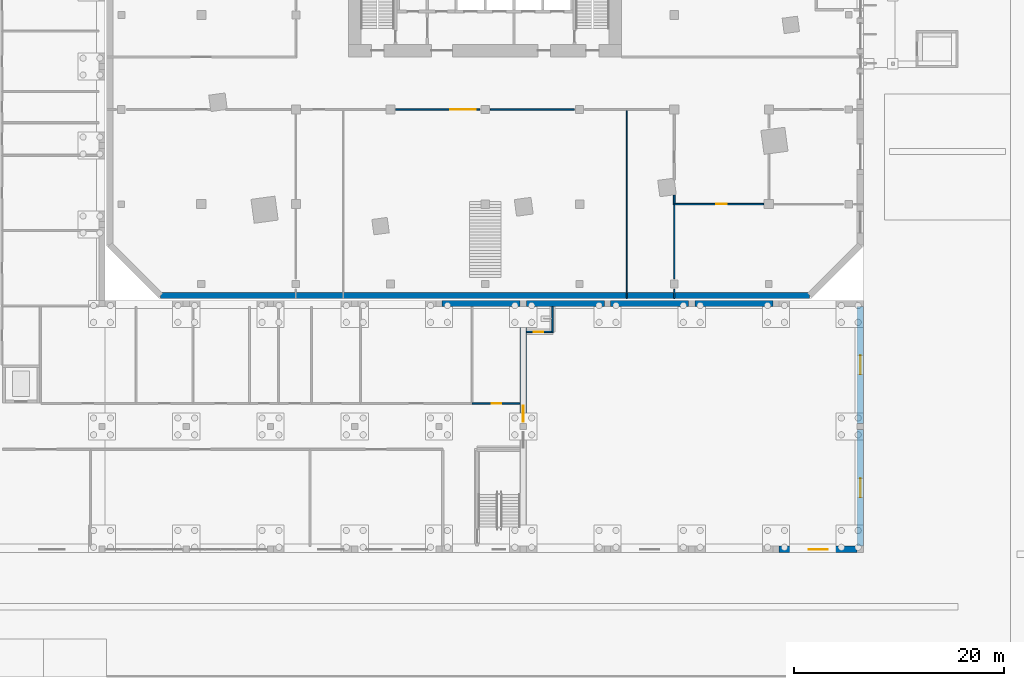
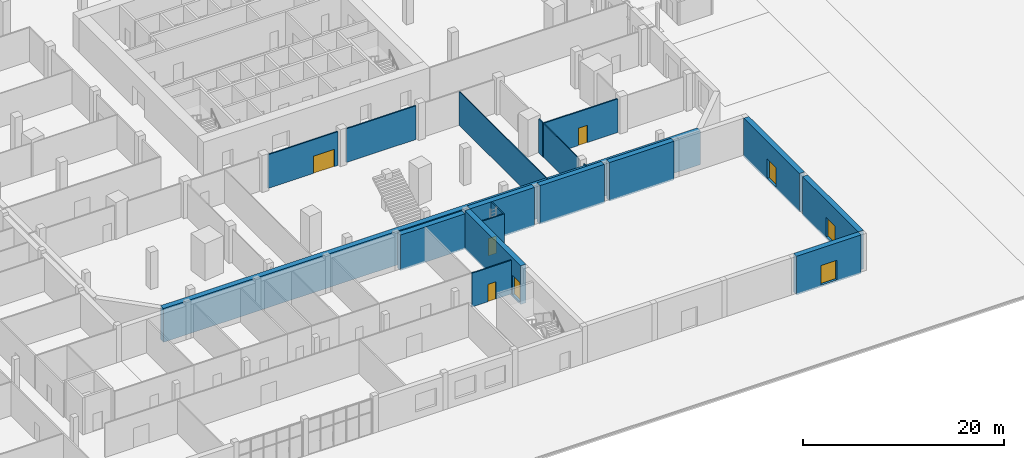
# One storey, part 26 of 42: 19 walls, 8 doors, 8 openings.
"""IFC4 building model written with IfcOpenShell, lengths in metres."""

from ifc_helpers import new_model, si_unit, direction, frame, frame_2d, origin, place, context, subcontext, project, spatial, rectangle, extrude, material, layer, layer_set, type_object, element, fill, save


model = new_model("IFC4")

# Units and contexts
model_context = context("Model", 3, precision=1e-05, world=origin(), true_north=direction((0.0, 1.0)))
body_context = subcontext(model_context, "Body", "Model", "MODEL_VIEW")
ifc_project = project(units=[si_unit("LENGTHUNIT", "METRE"), si_unit("AREAUNIT", "SQUARE_METRE"), si_unit("VOLUMEUNIT", "CUBIC_METRE"), si_unit("PLANEANGLEUNIT", "RADIAN"), si_unit("MASSUNIT", "GRAM", prefix="KILO")], contexts=[model_context])

# Site, building, storey
site_placement = place(None, origin())
site = spatial("IfcSite", under=ifc_project, at=site_placement, CompositionType="ELEMENT")
building_placement = place(site_placement, origin())
building = spatial("IfcBuilding", under=site, at=building_placement, Name="Dilmun Exchange Tower", CompositionType="ELEMENT")
storey_placement = place(building_placement, origin())
storey = spatial("IfcBuildingStorey", under=building, at=storey_placement, Name="L00", CompositionType="ELEMENT", Elevation=0.0)

# Wall, opening, door
ifc_material_1 = material(Name="Fire partition EI 60 150 gypsum")
ifc_layer_1 = layer(ifc_material_1, 0.14990234375)
ifc_layer_set_1 = layer_set([ifc_layer_1], Name="Fire partition EI 60 150 gypsum")
wall_type_1 = type_object("IfcWallType", Name="Fire partition EI 60 150 gypsum", PredefinedType="PARTITIONING", material=ifc_layer_set_1)
wall_1_placement = place(storey_placement, frame((17.925048828125, -27.0, 0.0), z_axis=(0.0, 0.0, 1.0), x_axis=(1.0, 0.0, 0.0)))
wall_1 = element("IfcWall", 1, at=wall_1_placement, inside=storey, type_object=wall_type_1, Name="L00 partition", PredefinedType="PARTITIONING", context=body_context, shape_type="SweptSolid", body=[
    extrude(rectangle(XDim=8.574951171875, YDim=0.14990234375, at=frame_2d((4.28759765625, 0.0))), origin(), (0.0, 0.0, 1.0), 4.10009765625),
])
opening_1_placement = place(wall_1_placement, frame((4.074951171875, 0.0, 0.0)))
opening_1 = element("IfcOpeningElement", 2, at=opening_1_placement, cuts=wall_1, Name="Opening L00-D019", PredefinedType="OPENING", context=body_context, shape_type="SweptSolid", body=[
    extrude(rectangle(XDim=1.0, YDim=2.10009765625, at=frame_2d((0.5, 1.050048828125))), frame((0.0, 0.0849609375, 0.0), z_axis=(0.0, -1.0, 0.0), x_axis=(1.0, 0.0, 0.0)), (0.0, 0.0, 1.0), 0.169921875),
])
ifc_material_2 = material(Name="Fire door FD60 1000 x 2100")
door_type_1 = type_object("IfcDoorType", Name="Fire door FD60 1000 x 2100", OperationType="SINGLE_SWING_LEFT", PredefinedType="DOOR", material=ifc_material_2)
door_1_placement = place(opening_1_placement, origin())
door_1 = element("IfcDoor", 3, at=door_1_placement, inside=storey, type_object=door_type_1, Name="L00 door L00-D019", OperationType="SINGLE_SWING_LEFT", OverallHeight=2.10009765625, OverallWidth=1.0, PredefinedType="DOOR", context=body_context, shape_type="SweptSolid", body=[
    extrude(rectangle(XDim=1.0, YDim=2.10009765625, at=frame_2d((0.5, 1.050048828125))), frame((0.0, 0.02490234375, 0.0), z_axis=(0.0, -1.0, 0.0), x_axis=(1.0, 0.0, 0.0)), (0.0, 0.0, 1.0), 0.050048828125),
])
fill(opening_1, door_1)

wall_2_placement = place(storey_placement, frame((-8.5, -18.0, 0.0), z_axis=(0.0, 0.0, 1.0), x_axis=(1.0, 0.0, 0.0)))
wall_2 = element("IfcWall", 4, at=wall_2_placement, inside=storey, type_object=wall_type_1, Name="L00 partition", PredefinedType="PARTITIONING", context=body_context, shape_type="SweptSolid", body=[
    extrude(rectangle(XDim=8.0, YDim=0.14990234375, at=frame_2d((4.0, 0.0))), origin(), (0.0, 0.0, 1.0), 4.10009765625),
])
opening_2_placement = place(wall_2_placement, frame((5.199951171875, 0.0, 0.0)))
opening_2 = element("IfcOpeningElement", 5, at=opening_2_placement, cuts=wall_2, Name="Opening L00-D017", PredefinedType="OPENING", context=body_context, shape_type="SweptSolid", body=[
    extrude(rectangle(XDim=2.39990234375, YDim=2.10009765625, at=frame_2d((1.199951171875, 1.050048828125))), frame((0.0, 0.0849609375, 0.0), z_axis=(0.0, -1.0, 0.0), x_axis=(1.0, 0.0, 0.0)), (0.0, 0.0, 1.0), 0.169921875),
])
ifc_material_3 = material(Name="Double door 2400 x 2100")
door_type_2 = type_object("IfcDoorType", Name="Double door 2400 x 2100", OperationType="DOUBLE_DOOR_SINGLE_SWING", PredefinedType="DOOR", material=ifc_material_3)
door_2_placement = place(opening_2_placement, origin())
door_2 = element("IfcDoor", 6, at=door_2_placement, inside=storey, type_object=door_type_2, Name="L00 door L00-D017", OperationType="DOUBLE_DOOR_SINGLE_SWING", OverallHeight=2.10009765625, OverallWidth=2.39990234375, PredefinedType="DOOR", context=body_context, shape_type="SweptSolid", body=[
    extrude(rectangle(XDim=2.39990234375, YDim=2.10009765625, at=frame_2d((1.199951171875, 1.050048828125))), frame((0.0, 0.02490234375, 0.0), z_axis=(0.0, -1.0, 0.0), x_axis=(1.0, 0.0, 0.0)), (0.0, 0.0, 1.0), 0.050048828125),
])
fill(opening_2, door_2)

# Walls
wall_3_placement = place(storey_placement, frame((0.5, -18.0, 0.0), z_axis=(0.0, 0.0, 1.0), x_axis=(1.0, 0.0, 0.0)))
element("IfcWall", 7, at=wall_3_placement, inside=storey, type_object=wall_type_1, Name="L00 partition", PredefinedType="PARTITIONING", context=body_context, shape_type="SweptSolid", body=[
    extrude(rectangle(XDim=8.0, YDim=0.14990234375, at=frame_2d((4.0, 0.0))), origin(), (0.0, 0.0, 1.0), 4.10009765625),
])
wall_4_placement = place(storey_placement, frame((18.0, -26.925048828125, 0.0), z_axis=(0.0, 0.0, 1.0), x_axis=(0.0, 1.0, 0.0)))
element("IfcWall", 8, at=wall_4_placement, inside=storey, type_object=wall_type_1, Name="L00 partition", PredefinedType="PARTITIONING", context=body_context, shape_type="SweptSolid", body=[
    extrude(rectangle(XDim=0.78173828125, YDim=0.14990234375, at=frame_2d((0.390869140625, 0.0))), origin(), (0.0, 0.0, 1.0), 4.10009765625),
])
ifc_material_4 = material(Name="Partition 100 gypsum")
ifc_layer_2 = layer(ifc_material_4, 0.10009765625)
ifc_layer_set_2 = layer_set([ifc_layer_2], Name="Partition 100 gypsum")
wall_type_2 = type_object("IfcWallType", Name="Partition 100 gypsum", PredefinedType="PARTITIONING", material=ifc_layer_set_2)
wall_5_placement = place(storey_placement, frame((13.5, -36.0, 0.0), z_axis=(0.0, 0.0, 1.0), x_axis=(0.0, 1.0, 0.0)))
element("IfcWall", 9, at=wall_5_placement, inside=storey, type_object=wall_type_2, Name="L00 partition", PredefinedType="PARTITIONING", context=body_context, shape_type="SweptSolid", body=[
    extrude(rectangle(XDim=17.925048828125, YDim=0.10009765625, at=frame_2d((8.96240234375, 0.0))), origin(), (0.0, 0.0, 1.0), 4.10009765625),
])
wall_6_placement = place(storey_placement, frame((18.0, -36.0, 0.0), z_axis=(0.0, 0.0, 1.0), x_axis=(0.0, 1.0, 0.0)))
element("IfcWall", 10, at=wall_6_placement, inside=storey, type_object=wall_type_2, Name="L00 partition", PredefinedType="PARTITIONING", context=body_context, shape_type="SweptSolid", body=[
    extrude(rectangle(XDim=0.89990234375, YDim=0.10009765625, at=frame_2d((0.449951171875, 0.0))), origin(), (0.0, 0.0, 1.0), 4.10009765625),
])
wall_7_placement = place(storey_placement, frame((18.0, -34.10009765625, 0.0), z_axis=(0.0, 0.0, 1.0), x_axis=(0.0, 1.0, 0.0)))
element("IfcWall", 11, at=wall_7_placement, inside=storey, type_object=wall_type_2, Name="L00 partition", PredefinedType="PARTITIONING", context=body_context, shape_type="SweptSolid", body=[
    extrude(rectangle(XDim=7.025146484375, YDim=0.10009765625, at=frame_2d((3.5126953125, 0.0))), origin(), (0.0, 0.0, 1.0), 4.10009765625),
])
ifc_material_5 = material(Name="Precast concrete C50/60", Category="concrete")
ifc_layer_3 = layer(ifc_material_5, 0.60009765625)
ifc_layer_set_3 = layer_set([ifc_layer_3], Name="Precast concrete C50/60")
wall_type_3 = type_object("IfcWallType", Name="Precast stone-clad wall 600", PredefinedType="STANDARD", material=ifc_layer_set_3)
wall_8_placement = place(storey_placement, frame((-30.875732421875, -35.699951171875, 0.0), z_axis=(0.0, 0.0, 1.0), x_axis=(1.0, 0.0, 0.0)))
element("IfcWall", 12, at=wall_8_placement, inside=storey, type_object=wall_type_3, Name="Facade wall L00-00-0", PredefinedType="STANDARD", context=body_context, shape_type="SweptSolid", body=[
    extrude(rectangle(XDim=61.75146484375, YDim=0.60009765625, at=frame_2d((30.875732421875, 0.0))), origin(), (0.0, 0.0, 1.0), 4.10009765625),
])
ifc_material_6 = material(Name="Precast concrete C40/50", Category="concrete")
ifc_layer_4 = layer(ifc_material_6, 0.60009765625)
ifc_layer_set_4 = layer_set([ifc_layer_4], Name="Precast concrete C40/50")
wall_type_4 = type_object("IfcWallType", Name="School external wall 600 precast C40/50", PredefinedType="STANDARD", material=ifc_layer_set_4)
wall_9_placement = place(storey_placement, frame((-4.083251953125, -36.449951171875, -0.199951171875), z_axis=(0.0, 0.0, 1.0), x_axis=(1.0, 0.0, 0.0)))
element("IfcWall", 13, at=wall_9_placement, inside=storey, type_object=wall_type_4, Name="School external wall", PredefinedType="STANDARD", context=body_context, shape_type="SweptSolid", body=[
    extrude(rectangle(XDim=7.41650390625, YDim=0.60009765625, at=frame_2d((3.708251953125, 0.0))), origin(), (0.0, 0.0, 1.0), 4.300048828125),
])

# Wall, opening, door
ifc_material_7 = material(Name="Gypsum board on steel studs", Category="steel")
ifc_layer_5 = layer(ifc_material_7, 0.14990234375)
ifc_layer_set_5 = layer_set([ifc_layer_5], Name="Gypsum board on steel studs")
wall_type_5 = type_object("IfcWallType", Name="School partition 150 gypsum board", PredefinedType="PARTITIONING", material=ifc_layer_set_5)
wall_10_placement = place(storey_placement, frame((-1.232666015625, -45.97509765625, 0.0), z_axis=(0.0, 0.0, 1.0), x_axis=(1.0, 0.0, 0.0)))
wall_10 = element("IfcWall", 14, at=wall_10_placement, inside=storey, type_object=wall_type_5, Name="School corridor wall", PredefinedType="PARTITIONING", context=body_context, shape_type="SweptSolid", body=[
    extrude(rectangle(XDim=4.565673828125, YDim=0.14990234375, at=frame_2d((2.28271484375, 0.0))), origin(), (0.0, 0.0, 1.0), 4.10009765625),
])
opening_3_placement = place(wall_10_placement, frame((1.870361328125, 0.0, 0.0)))
opening_3 = element("IfcOpeningElement", 15, at=opening_3_placement, cuts=wall_10, Name="Opening SCH-D2", PredefinedType="OPENING", context=body_context, shape_type="SweptSolid", body=[
    extrude(rectangle(XDim=0.89990234375, YDim=2.10009765625, at=frame_2d((0.449951171875, 1.050048828125))), frame((0.0, 0.0849609375, 0.0), z_axis=(0.0, -1.0, 0.0), x_axis=(1.0, 0.0, 0.0)), (0.0, 0.0, 1.0), 0.169921875),
])
ifc_material_8 = material(Name="Timber door leaf in steel frame", Category="steel")
door_type_3 = type_object("IfcDoorType", Name="School door FD30S 900 x 2100", OperationType="NOTDEFINED", PredefinedType="DOOR", material=ifc_material_8)
door_3_placement = place(opening_3_placement, origin())
door_3 = element("IfcDoor", 16, at=door_3_placement, inside=storey, type_object=door_type_3, Name="Kitchen store door", OperationType="SINGLE_SWING_RIGHT", OverallHeight=2.10009765625, OverallWidth=0.89990234375, PredefinedType="DOOR", context=body_context, shape_type="SweptSolid", body=[
    extrude(rectangle(XDim=0.89990234375, YDim=2.10009765625, at=frame_2d((0.449951171875, 1.050048828125))), frame((0.0, 0.02490234375, 0.0), z_axis=(0.0, -1.0, 0.0), x_axis=(1.0, 0.0, 0.0)), (0.0, 0.0, 1.0), 0.050048828125),
])
fill(opening_3, door_3)

# Walls
ifc_material_9 = material(Name="Concrete C40/50", Category="concrete")
ifc_layer_6 = layer(ifc_material_9, 0.60009765625)
ifc_layer_set_6 = layer_set([ifc_layer_6], Name="Concrete C40/50")
wall_type_6 = type_object("IfcWallType", Name="School sports hall wall 600 C40/50", PredefinedType="SOLIDWALL", material=ifc_layer_set_6)
for number, where, z_axis, x_axis, name in (
    (17, (3.933349609375, -36.449951171875, -0.199951171875), (0.0, 0.0, 1.0), (1.0, 0.0, 0.0), "School external wall"),
    (18, (11.949951171875, -36.449951171875, -0.199951171875), (0.0, 0.0, 1.0), (1.0, 0.0, 0.0), "School external wall"),
):
    element("IfcWall", number, at=place(storey_placement, frame(where, z_axis=z_axis, x_axis=x_axis)), inside=storey, type_object=wall_type_6, Name=name, PredefinedType="SOLIDWALL", context=body_context, shape_type="SweptSolid", body=[
        extrude(rectangle(XDim=7.416748046875, YDim=0.60009765625, at=frame_2d((3.70849609375, 0.0))), origin(), (0.0, 0.0, 1.0), 4.699951171875),
    ])
wall_11_placement = place(storey_placement, frame((19.966796875, -36.449951171875, -0.199951171875), z_axis=(0.0, 0.0, 1.0), x_axis=(1.0, 0.0, 0.0)))
element("IfcWall", 19, at=wall_11_placement, inside=storey, type_object=wall_type_6, Name="School external wall", PredefinedType="SOLIDWALL", context=body_context, shape_type="SweptSolid", body=[
    extrude(rectangle(XDim=7.41650390625, YDim=0.60009765625, at=frame_2d((3.708251953125, 0.0))), origin(), (0.0, 0.0, 1.0), 4.699951171875),
])

# Wall, opening, door
wall_12_placement = place(storey_placement, frame((35.699951171875, -36.75, -0.199951171875), z_axis=(0.0, 0.0, 1.0), x_axis=(0.0, -1.0, 0.0)))
wall_12 = element("IfcWall", 20, at=wall_12_placement, inside=storey, type_object=wall_type_6, Name="School external wall", PredefinedType="SOLIDWALL", context=body_context, shape_type="SweptSolid", body=[
    extrude(rectangle(XDim=11.10009765625, YDim=0.60009765625, at=frame_2d((5.550048828125, 0.0))), origin(), (0.0, 0.0, 1.0), 4.699951171875),
])
opening_4_placement = place(wall_12_placement, frame((4.64990234375, 0.0, 0.199951171875)))
opening_4 = element("IfcOpeningElement", 21, at=opening_4_placement, cuts=wall_12, Name="Opening SCH-D9", PredefinedType="OPENING", context=body_context, shape_type="SweptSolid", body=[
    extrude(rectangle(XDim=1.800048828125, YDim=2.39990234375, at=frame_2d((0.89990234375, 1.199951171875))), frame((0.0, 0.31005859375, 0.0), z_axis=(0.0, -1.0, 0.0), x_axis=(1.0, 0.0, 0.0)), (0.0, 0.0, 1.0), 0.6201171875),
])
ifc_material_10 = material(Name="Clear low-emissivity glass in aluminium frame", Category="aluminium")
door_type_4 = type_object("IfcDoorType", Name="School glazed double door 1800 x 2400", OperationType="DOUBLE_DOOR_SINGLE_SWING", PredefinedType="DOOR", material=ifc_material_10)
door_4_placement = place(opening_4_placement, origin())
door_4 = element("IfcDoor", 22, at=door_4_placement, inside=storey, type_object=door_type_4, Name="Sports hall exit door", OperationType="DOUBLE_DOOR_SINGLE_SWING", OverallHeight=2.39990234375, OverallWidth=1.800048828125, PredefinedType="DOOR", context=body_context, shape_type="SweptSolid", body=[
    extrude(rectangle(XDim=1.800048828125, YDim=2.39990234375, at=frame_2d((0.89990234375, 1.199951171875))), frame((0.0, 0.02490234375, 0.0), z_axis=(0.0, -1.0, 0.0), x_axis=(1.0, 0.0, 0.0)), (0.0, 0.0, 1.0), 0.050048828125),
])
fill(opening_4, door_4)

wall_13_placement = place(storey_placement, frame((35.699951171875, -48.449951171875, -0.199951171875), z_axis=(0.0, 0.0, 1.0), x_axis=(0.0, -1.0, 0.0)))
wall_13 = element("IfcWall", 23, at=wall_13_placement, inside=storey, type_object=wall_type_6, Name="School external wall", PredefinedType="SOLIDWALL", context=body_context, shape_type="SweptSolid", body=[
    extrude(rectangle(XDim=11.10009765625, YDim=0.60009765625, at=frame_2d((5.550048828125, 0.0))), origin(), (0.0, 0.0, 1.0), 4.699951171875),
])
opening_5_placement = place(wall_13_placement, frame((4.64990234375, 0.0, 0.199951171875)))
opening_5 = element("IfcOpeningElement", 24, at=opening_5_placement, cuts=wall_13, Name="Opening SCH-D9", PredefinedType="OPENING", context=body_context, shape_type="SweptSolid", body=[
    extrude(rectangle(XDim=1.800048828125, YDim=2.39990234375, at=frame_2d((0.89990234375, 1.199951171875))), frame((0.0, 0.31005859375, 0.0), z_axis=(0.0, -1.0, 0.0), x_axis=(1.0, 0.0, 0.0)), (0.0, 0.0, 1.0), 0.6201171875),
])
door_5_placement = place(opening_5_placement, origin())
door_5 = element("IfcDoor", 25, at=door_5_placement, inside=storey, type_object=door_type_4, Name="Sports hall exit door", OperationType="DOUBLE_DOOR_SINGLE_SWING", OverallHeight=2.39990234375, OverallWidth=1.800048828125, PredefinedType="DOOR", context=body_context, shape_type="SweptSolid", body=[
    extrude(rectangle(XDim=1.800048828125, YDim=2.39990234375, at=frame_2d((0.89990234375, 1.199951171875))), frame((0.0, 0.02490234375, 0.0), z_axis=(0.0, -1.0, 0.0), x_axis=(1.0, 0.0, 0.0)), (0.0, 0.0, 1.0), 0.050048828125),
])
fill(opening_5, door_5)

wall_14_placement = place(storey_placement, frame((35.39990234375, -59.85009765625, -0.199951171875), z_axis=(0.0, 0.0, 1.0), x_axis=(-1.0, 0.0, 0.0)))
wall_14 = element("IfcWall", 26, at=wall_14_placement, inside=storey, type_object=wall_type_6, Name="School external wall", PredefinedType="SOLIDWALL", context=body_context, shape_type="SweptSolid", body=[
    extrude(rectangle(XDim=7.41650390625, YDim=0.60009765625, at=frame_2d((3.708251953125, 0.0))), origin(), (0.0, 0.0, 1.0), 4.699951171875),
])
opening_6_placement = place(wall_14_placement, frame((2.81005859375, 0.0, 0.199951171875)))
opening_6 = element("IfcOpeningElement", 27, at=opening_6_placement, cuts=wall_14, Name="Opening SCH-D9", PredefinedType="OPENING", context=body_context, shape_type="SweptSolid", body=[
    extrude(rectangle(XDim=1.800048828125, YDim=2.39990234375, at=frame_2d((0.89990234375, 1.199951171875))), frame((0.0, 0.31005859375, 0.0), z_axis=(0.0, -1.0, 0.0), x_axis=(1.0, 0.0, 0.0)), (0.0, 0.0, 1.0), 0.6201171875),
])
door_6_placement = place(opening_6_placement, origin())
door_6 = element("IfcDoor", 28, at=door_6_placement, inside=storey, type_object=door_type_4, Name="Sports hall exit door", OperationType="DOUBLE_DOOR_SINGLE_SWING", OverallHeight=2.39990234375, OverallWidth=1.800048828125, PredefinedType="DOOR", context=body_context, shape_type="SweptSolid", body=[
    extrude(rectangle(XDim=1.800048828125, YDim=2.39990234375, at=frame_2d((0.89990234375, 1.199951171875))), frame((0.0, 0.02490234375, 0.0), z_axis=(0.0, -1.0, 0.0), x_axis=(1.0, 0.0, 0.0)), (0.0, 0.0, 1.0), 0.050048828125),
])
fill(opening_6, door_6)

wall_15_placement = place(storey_placement, frame((3.63330078125, -47.85009765625, -0.199951171875), z_axis=(0.0, 0.0, 1.0), x_axis=(0.0, 1.0, 0.0)))
wall_15 = element("IfcWall", 29, at=wall_15_placement, inside=storey, type_object=wall_type_6, Name="School sports hall wall", PredefinedType="SOLIDWALL", context=body_context, shape_type="SweptSolid", body=[
    extrude(rectangle(XDim=11.10009765625, YDim=0.60009765625, at=frame_2d((5.550048828125, 0.0))), origin(), (0.0, 0.0, 1.0), 4.699951171875),
])
opening_7_placement = place(wall_15_placement, frame((0.14990234375, 0.0, 0.199951171875)))
opening_7 = element("IfcOpeningElement", 30, at=opening_7_placement, cuts=wall_15, Name="Opening SCH-D5", PredefinedType="OPENING", context=body_context, shape_type="SweptSolid", body=[
    extrude(rectangle(XDim=1.5, YDim=2.39990234375, at=frame_2d((0.75, 1.199951171875))), frame((0.0, 0.31005859375, 0.0), z_axis=(0.0, -1.0, 0.0), x_axis=(1.0, 0.0, 0.0)), (0.0, 0.0, 1.0), 0.6201171875),
])
door_type_5 = type_object("IfcDoorType", Name="School glazed double door 1500 x 2400", OperationType="DOUBLE_DOOR_SINGLE_SWING", PredefinedType="DOOR", material=ifc_material_10)
door_7_placement = place(opening_7_placement, origin())
door_7 = element("IfcDoor", 31, at=door_7_placement, inside=storey, type_object=door_type_5, Name="Sports hall door", OperationType="DOUBLE_DOOR_SINGLE_SWING", OverallHeight=2.39990234375, OverallWidth=1.5, PredefinedType="DOOR", context=body_context, shape_type="SweptSolid", body=[
    extrude(rectangle(XDim=1.5, YDim=2.39990234375, at=frame_2d((0.75, 1.199951171875))), frame((0.0, 0.02490234375, 0.0), z_axis=(0.0, -1.0, 0.0), x_axis=(1.0, 0.0, 0.0)), (0.0, 0.0, 1.0), 0.050048828125),
])
fill(opening_7, door_7)

ifc_layer_7 = layer(ifc_material_9, 0.25)
ifc_layer_set_7 = layer_set([ifc_layer_7], Name="Concrete C40/50")
wall_type_7 = type_object("IfcWallType", Name="School stair and lift wall 250 C40/50", PredefinedType="SHEAR", material=ifc_layer_set_7)
wall_16_placement = place(storey_placement, frame((3.93310546875, -39.14990234375, 0.0), z_axis=(0.0, 0.0, 1.0), x_axis=(1.0, 0.0, 0.0)))
wall_16 = element("IfcWall", 32, at=wall_16_placement, inside=storey, type_object=wall_type_7, Name="School roof access store wall", PredefinedType="SHEAR", context=body_context, shape_type="SweptSolid", body=[
    extrude(rectangle(XDim=2.5498046875, YDim=0.14990234375, at=frame_2d((1.27490234375, 0.0))), origin(), (0.0, 0.0, 1.0), 4.5),
])
opening_8_placement = place(wall_16_placement, frame((0.717041015625, 0.0, 0.0)))
opening_8 = element("IfcOpeningElement", 33, at=opening_8_placement, cuts=wall_16, Name="Opening SCH-D2", PredefinedType="OPENING", context=body_context, shape_type="SweptSolid", body=[
    extrude(rectangle(XDim=0.89990234375, YDim=2.10009765625, at=frame_2d((0.449951171875, 1.050048828125))), frame((0.0, 0.0849609375, 0.0), z_axis=(0.0, -1.0, 0.0), x_axis=(1.0, 0.0, 0.0)), (0.0, 0.0, 1.0), 0.169921875),
])
door_8_placement = place(opening_8_placement, origin())
door_8 = element("IfcDoor", 34, at=door_8_placement, inside=storey, type_object=door_type_3, Name="Roof access store door", OperationType="SINGLE_SWING_LEFT", OverallHeight=2.10009765625, OverallWidth=0.89990234375, PredefinedType="DOOR", context=body_context, shape_type="SweptSolid", body=[
    extrude(rectangle(XDim=0.89990234375, YDim=2.10009765625, at=frame_2d((0.449951171875, 1.050048828125))), frame((0.0, 0.02490234375, 0.0), z_axis=(0.0, -1.0, 0.0), x_axis=(1.0, 0.0, 0.0)), (0.0, 0.0, 1.0), 0.050048828125),
])
fill(opening_8, door_8)

# Wall
wall_17_placement = place(storey_placement, frame((6.407958984375, -39.14990234375, 0.0), z_axis=(0.0, 0.0, 1.0), x_axis=(0.0, 1.0, 0.0)))
element("IfcWall", 35, at=wall_17_placement, inside=storey, type_object=wall_type_7, Name="School roof access store wall", PredefinedType="SHEAR", context=body_context, shape_type="SweptSolid", body=[
    extrude(rectangle(XDim=2.39990234375, YDim=0.14990234375, at=frame_2d((1.199951171875, 0.0))), origin(), (0.0, 0.0, 1.0), 4.5),
])

save(model, "model.ifc")
